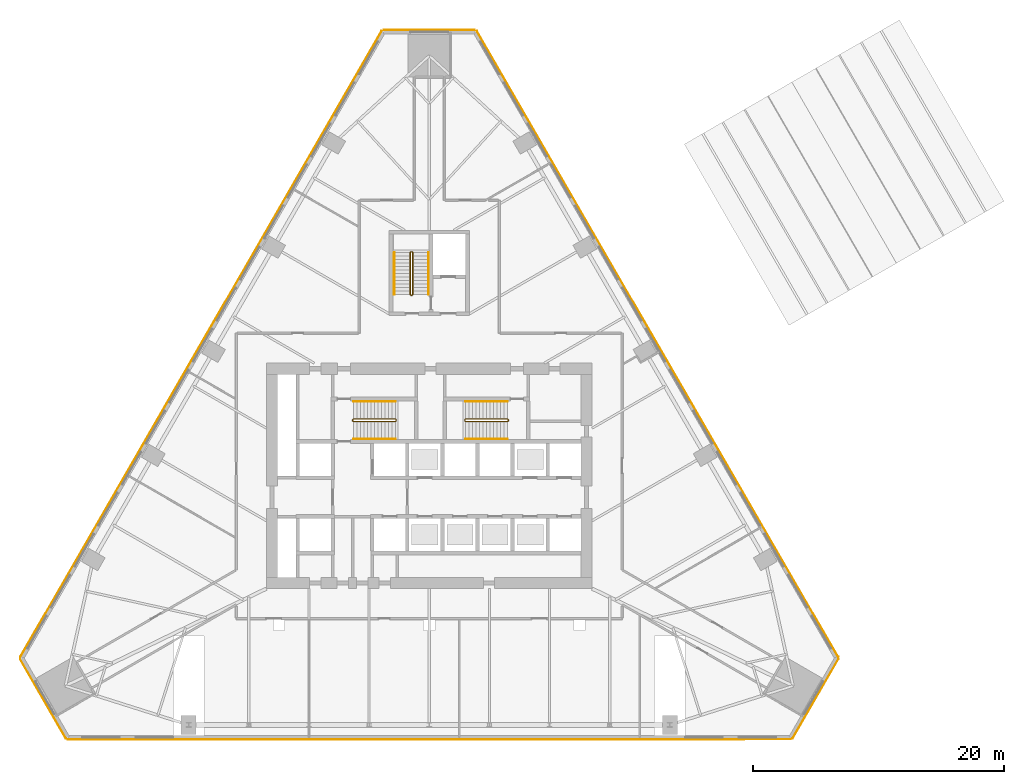
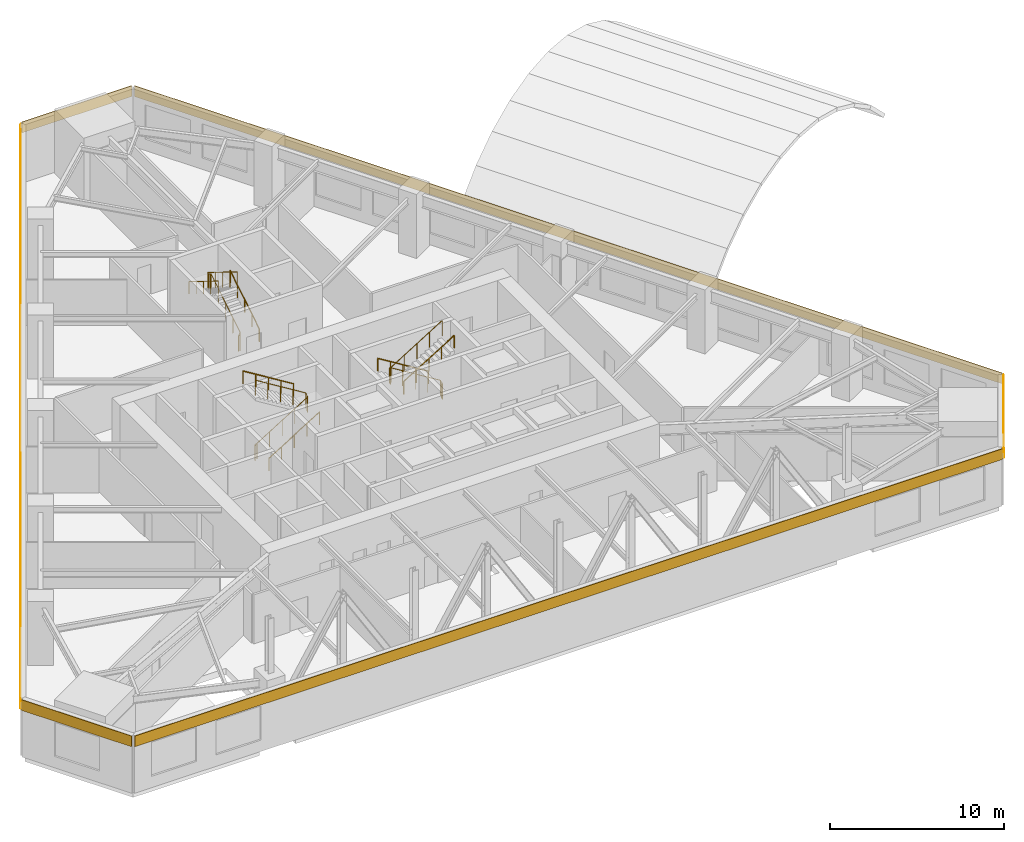
# One storey, part 10 of 11: 9 railings, 6 coverings.
"""IFC4 building model written with IfcOpenShell, lengths in metres."""

from ifc_helpers import new_model, si_unit, direction, frame, origin, origin_2d, place, context, subcontext, project, spatial, polyline, circle, outline, extrude, material, layer, layer_set, type_object, element, save


model = new_model("IFC4")

# Units and contexts
model_context = context("Model", 3, precision=1e-05, world=origin(), true_north=direction((0.0, 1.0)))
body_context = subcontext(model_context, "Body", "Model", "MODEL_VIEW")
ifc_project = project(units=[si_unit("LENGTHUNIT", "METRE"), si_unit("AREAUNIT", "SQUARE_METRE"), si_unit("VOLUMEUNIT", "CUBIC_METRE"), si_unit("PLANEANGLEUNIT", "RADIAN"), si_unit("MASSUNIT", "GRAM", prefix="KILO")], contexts=[model_context])

# Site, building, storey
site_placement = place(None, origin())
site = spatial("IfcSite", under=ifc_project, at=site_placement, CompositionType="ELEMENT")
building_placement = place(site_placement, origin())
building = spatial("IfcBuilding", under=site, at=building_placement, Name="Firuza Gate Tower and Library", CompositionType="ELEMENT")
storey_placement = place(building_placement, frame((0.0, 0.0, 31.0)))
storey = spatial("IfcBuildingStorey", under=building, at=storey_placement, Name="L06", CompositionType="ELEMENT", Elevation=31.0)

# Coverings
ifc_material_1 = material(Name="Glazed ceramic tile, cobalt")
ifc_layer_1 = layer(ifc_material_1, 0.0400390625)
ifc_layer_set_1 = layer_set([ifc_layer_1], Name="Cobalt glazed tile band 40")
covering_type_1 = type_object("IfcCoveringType", Name="Cobalt glazed tile band 40", PredefinedType="CLADDING", material=ifc_layer_set_1)
covering_1_placement = place(storey_placement, frame((104.0166015625, 54.0302734375, 3.300048828125), z_axis=(0.866033626628, -0.499985757347, 0.0), x_axis=(0.499985757347, 0.866033626628, 0.0)))
element("IfcCovering", 1, at=covering_1_placement, inside=storey, type_object=covering_type_1, Name="Glazed tile band", PredefinedType="CLADDING", context=body_context, shape_type="SweptSolid", body=[
    extrude(outline(polyline([(0.0, 0.0), (7.303918991869336, 0.0), (7.303918991869336, 0.75), (0.0, 0.75), (0.0, 0.0)])), origin(), (0.0, 0.0, -1.0), 0.0400390625),
])
covering_2_placement = place(storey_placement, frame((78.65185546875, 110.61376953125, 3.300048828125), z_axis=(0.0, 1.0, 0.0), x_axis=(-1.0, 0.0, 0.0)))
element("IfcCovering", 2, at=covering_2_placement, inside=storey, type_object=covering_type_1, Name="Glazed tile band", PredefinedType="CLADDING", context=body_context, shape_type="SweptSolid", body=[
    extrude(outline(polyline([(0.0, 0.0), (7.3037109375, 0.0), (7.3037109375, 0.75), (0.0, 0.75), (0.0, 0.0)])), origin(), (0.0, 0.0, -1.0), 0.0400390625),
])
covering_3_placement = place(storey_placement, frame((42.33154296875, 60.355712890625, 3.300048828125), z_axis=(-0.866033626628, -0.499985757347, 0.0), x_axis=(0.499985757347, -0.866033626628, 0.0)))
element("IfcCovering", 3, at=covering_3_placement, inside=storey, type_object=covering_type_1, Name="Glazed tile band", PredefinedType="CLADDING", context=body_context, shape_type="SweptSolid", body=[
    extrude(outline(polyline([(0.0, 0.0), (7.303918991869336, 0.0), (7.303918991869336, 0.75), (0.0, 0.75), (0.0, 0.0)])), origin(), (0.0, 0.0, -1.0), 0.0400390625),
])

# Railings
ifc_material_2 = material(Name="Steel S355", Category="steel")
railing_type_1 = type_object("IfcRailingType", Name="Stair guard 1100", PredefinedType="GUARDRAIL", material=ifc_material_2)
railing_1_placement = place(storey_placement, frame((68.889892578125, 79.389892578125, 0.0)))
element("IfcRailing", 4, at=railing_1_placement, inside=storey, type_object=railing_type_1, Name="L06 ST1 stair guard 1", PredefinedType="GUARDRAIL", context=body_context, shape_type="SweptSolid", body=[
    extrude(circle(Radius=0.02392578125, at=origin_2d()), frame((0.0, 0.0, 1.076171875), z_axis=(0.0, 1.0, 0.0), x_axis=(-1.0, 0.0, 0.0)), (0.0, 0.0, 1.0), 0.10009765625),
    extrude(circle(Radius=0.02392578125, at=origin_2d()), frame((0.0, 0.10009765625, 1.076171875), z_axis=(0.213529850563, -0.639547942662, 0.73850080024), x_axis=(0.948528701346, 0.316691178788, 0.0)), (0.0, 0.0, 1.0), 0.234375),
    extrude(circle(Radius=0.02392578125, at=origin_2d()), frame((0.050048828125, -0.0498046875, 1.2490234375), z_axis=(0.850623216509, 0.0, 0.525775754039), x_axis=(0.0, 1.0, 0.0)), (0.0, 0.0, 1.0), 3.9501953125),
    extrude(circle(Radius=0.02392578125, at=origin_2d()), frame((3.41015625, -0.0498046875, 3.326171875), z_axis=(0.708833529934, 0.705375805398, 0.0), x_axis=(-0.705375805398, 0.708833529934, 0.0)), (0.0, 0.0, 1.0), 0.070556640625),
    extrude(circle(Radius=0.02392578125, at=origin_2d()), frame((3.460205078125, 0.0, 3.326171875), z_axis=(0.0, 1.0, 0.0), x_axis=(-1.0, 0.0, 0.0)), (0.0, 0.0, 1.0), 0.10009765625),
    extrude(circle(Radius=0.02392578125, at=origin_2d()), frame((3.460205078125, 0.10009765625, 3.326171875), z_axis=(-0.267629722418, 0.267629722418, 0.925607186314), x_axis=(-0.707106781187, -0.707106781187, 0.0)), (0.0, 0.0, 1.0), 0.18701171875),
    extrude(circle(Radius=0.02392578125, at=origin_2d()), frame((3.41015625, 0.150146484375, 3.4990234375), z_axis=(-0.850623216509, 0.0, 0.525775754039), x_axis=(0.0, -1.0, 0.0)), (0.0, 0.0, 1.0), 3.9501953125),
    extrude(circle(Radius=0.02099609375, at=origin_2d()), origin(), (0.0, 0.0, 1.0), 1.052001953125),
    extrude(circle(Radius=0.02099609375, at=origin_2d()), frame((0.0, 0.10009765625, 0.0)), (0.0, 0.0, 1.0), 1.052001953125),
    extrude(circle(Radius=0.02099609375, at=origin_2d()), frame((0.050048828125, -0.0498046875, 0.173095703125)), (0.0, 0.0, 1.0), 1.052001953125),
    extrude(circle(Radius=0.02099609375, at=origin_2d()), frame((0.89013671875, -0.0498046875, 0.6923828125)), (0.0, 0.0, 1.0), 1.052001953125),
    extrude(circle(Radius=0.02099609375, at=origin_2d()), frame((1.72998046875, -0.0498046875, 1.21142578125)), (0.0, 0.0, 1.0), 1.052001953125),
    extrude(circle(Radius=0.02099609375, at=origin_2d()), frame((2.570068359375, -0.0498046875, 1.730712890625)), (0.0, 0.0, 1.0), 1.052001953125),
    extrude(circle(Radius=0.02099609375, at=origin_2d()), frame((3.41015625, -0.0498046875, 2.25)), (0.0, 0.0, 1.0), 1.052001953125),
    extrude(circle(Radius=0.02099609375, at=origin_2d()), frame((3.460205078125, 0.0, 2.25)), (0.0, 0.0, 1.0), 1.052001953125),
    extrude(circle(Radius=0.02099609375, at=origin_2d()), frame((3.460205078125, 0.10009765625, 2.25)), (0.0, 0.0, 1.0), 1.052001953125),
    extrude(circle(Radius=0.02099609375, at=origin_2d()), frame((3.41015625, 0.150146484375, 2.423095703125)), (0.0, 0.0, 1.0), 1.052001953125),
    extrude(circle(Radius=0.02099609375, at=origin_2d()), frame((2.570068359375, 0.150146484375, 2.9423828125)), (0.0, 0.0, 1.0), 1.052001953125),
    extrude(circle(Radius=0.02099609375, at=origin_2d()), frame((1.72998046875, 0.150146484375, 3.46142578125)), (0.0, 0.0, 1.0), 1.052001953125),
    extrude(circle(Radius=0.02099609375, at=origin_2d()), frame((0.89013671875, 0.150146484375, 3.980712890625)), (0.0, 0.0, 1.0), 1.052001953125),
    extrude(circle(Radius=0.02099609375, at=origin_2d()), frame((0.050048828125, 0.150146484375, 4.5)), (0.0, 0.0, 1.0), 1.052001953125),
])
railing_2_placement = place(storey_placement, frame((81.31005859375, 79.489990234375, 0.0)))
element("IfcRailing", 5, at=railing_2_placement, inside=storey, type_object=railing_type_1, Name="L06 ST2 stair guard 1", PredefinedType="GUARDRAIL", context=body_context, shape_type="SweptSolid", body=[
    extrude(circle(Radius=0.02392578125, at=origin_2d()), frame((0.0, 0.0, 1.076171875), z_axis=(0.0, -1.0, 0.0), x_axis=(1.0, 0.0, 0.0)), (0.0, 0.0, 1.0), 0.10009765625),
    extrude(circle(Radius=0.02392578125, at=origin_2d()), frame((0.0, -0.10009765625, 1.076171875), z_axis=(-0.213387632126, 0.640162896378, 0.738008932572), x_axis=(-0.948683298051, -0.316227766017, 0.0)), (0.0, 0.0, 1.0), 0.234619140625),
    extrude(circle(Radius=0.02392578125, at=origin_2d()), frame((-0.050048828125, 0.050048828125, 1.2490234375), z_axis=(-0.850623216509, 0.0, 0.525775754039), x_axis=(0.0, -1.0, 0.0)), (0.0, 0.0, 1.0), 3.9501953125),
    extrude(circle(Radius=0.02392578125, at=origin_2d()), frame((-3.41015625, 0.050048828125, 3.326171875), z_axis=(-0.705375805398, -0.708833529934, 0.0), x_axis=(0.708833529934, -0.705375805398, 0.0)), (0.0, 0.0, 1.0), 0.070556640625),
    extrude(circle(Radius=0.02392578125, at=origin_2d()), frame((-3.4599609375, 0.0, 3.326171875), z_axis=(0.0, -1.0, 0.0), x_axis=(1.0, 0.0, 0.0)), (0.0, 0.0, 1.0), 0.10009765625),
    extrude(circle(Radius=0.02392578125, at=origin_2d()), frame((-3.4599609375, -0.10009765625, 3.326171875), z_axis=(0.26651005591, -0.26651005591, 0.926253086471), x_axis=(0.707106781187, 0.707106781187, 0.0)), (0.0, 0.0, 1.0), 0.186767578125),
    extrude(circle(Radius=0.02392578125, at=origin_2d()), frame((-3.41015625, -0.14990234375, 3.4990234375), z_axis=(0.850623216509, 0.0, 0.525775754039), x_axis=(0.0, 1.0, 0.0)), (0.0, 0.0, 1.0), 3.9501953125),
    extrude(circle(Radius=0.02099609375, at=origin_2d()), origin(), (0.0, 0.0, 1.0), 1.052001953125),
    extrude(circle(Radius=0.02099609375, at=origin_2d()), frame((0.0, -0.10009765625, 0.0)), (0.0, 0.0, 1.0), 1.052001953125),
    extrude(circle(Radius=0.02099609375, at=origin_2d()), frame((-0.050048828125, 0.050048828125, 0.173095703125)), (0.0, 0.0, 1.0), 1.052001953125),
    extrude(circle(Radius=0.02099609375, at=origin_2d()), frame((-0.89013671875, 0.050048828125, 0.6923828125)), (0.0, 0.0, 1.0), 1.052001953125),
    extrude(circle(Radius=0.02099609375, at=origin_2d()), frame((-1.72998046875, 0.050048828125, 1.21142578125)), (0.0, 0.0, 1.0), 1.052001953125),
    extrude(circle(Radius=0.02099609375, at=origin_2d()), frame((-2.570068359375, 0.050048828125, 1.730712890625)), (0.0, 0.0, 1.0), 1.052001953125),
    extrude(circle(Radius=0.02099609375, at=origin_2d()), frame((-3.41015625, 0.050048828125, 2.25)), (0.0, 0.0, 1.0), 1.052001953125),
    extrude(circle(Radius=0.02099609375, at=origin_2d()), frame((-3.4599609375, 0.0, 2.25)), (0.0, 0.0, 1.0), 1.052001953125),
    extrude(circle(Radius=0.02099609375, at=origin_2d()), frame((-3.4599609375, -0.10009765625, 2.25)), (0.0, 0.0, 1.0), 1.052001953125),
    extrude(circle(Radius=0.02099609375, at=origin_2d()), frame((-3.41015625, -0.14990234375, 2.423095703125)), (0.0, 0.0, 1.0), 1.052001953125),
    extrude(circle(Radius=0.02099609375, at=origin_2d()), frame((-2.570068359375, -0.14990234375, 2.9423828125)), (0.0, 0.0, 1.0), 1.052001953125),
    extrude(circle(Radius=0.02099609375, at=origin_2d()), frame((-1.72998046875, -0.14990234375, 3.46142578125)), (0.0, 0.0, 1.0), 1.052001953125),
    extrude(circle(Radius=0.02099609375, at=origin_2d()), frame((-0.89013671875, -0.14990234375, 3.980712890625)), (0.0, 0.0, 1.0), 1.052001953125),
    extrude(circle(Radius=0.02099609375, at=origin_2d()), frame((-0.050048828125, -0.14990234375, 4.5)), (0.0, 0.0, 1.0), 1.052001953125),
])
railing_3_placement = place(storey_placement, frame((73.6298828125, 89.419921875, 0.0)))
element("IfcRailing", 6, at=railing_3_placement, inside=storey, type_object=railing_type_1, Name="L06 ST3 stair guard 1", PredefinedType="GUARDRAIL", context=body_context, shape_type="SweptSolid", body=[
    extrude(circle(Radius=0.02392578125, at=origin_2d()), frame((0.0, 0.0, 1.076171875), z_axis=(-1.0, 0.0, 0.0), x_axis=(0.0, -1.0, 0.0)), (0.0, 0.0, 1.0), 0.099853515625),
    extrude(circle(Radius=0.02392578125, at=origin_2d()), frame((-0.099853515625, 0.0, 1.076171875), z_axis=(0.639547942662, 0.213529850563, 0.73850080024), x_axis=(-0.316691178788, 0.948528701346, 0.0)), (0.0, 0.0, 1.0), 0.234375),
    extrude(circle(Radius=0.02392578125, at=origin_2d()), frame((0.050048828125, 0.050048828125, 1.2490234375), z_axis=(0.0, 0.850623216509, 0.525775754039), x_axis=(-1.0, 0.0, 0.0)), (0.0, 0.0, 1.0), 3.9501953125),
    extrude(circle(Radius=0.02392578125, at=origin_2d()), frame((0.050048828125, 3.41015625, 3.326171875), z_axis=(-0.708833529934, 0.705375805398, 0.0), x_axis=(-0.705375805398, -0.708833529934, 0.0)), (0.0, 0.0, 1.0), 0.070556640625),
    extrude(circle(Radius=0.02392578125, at=origin_2d()), frame((0.0, 3.4599609375, 3.326171875), z_axis=(-1.0, 0.0, 0.0), x_axis=(0.0, -1.0, 0.0)), (0.0, 0.0, 1.0), 0.099853515625),
    extrude(circle(Radius=0.02392578125, at=origin_2d()), frame((-0.099853515625, 3.4599609375, 3.326171875), z_axis=(-0.267723051232, -0.266417085129, 0.925929967433), x_axis=(0.705375805398, -0.708833529934, 0.0)), (0.0, 0.0, 1.0), 0.18701171875),
    extrude(circle(Radius=0.02392578125, at=origin_2d()), frame((-0.14990234375, 3.41015625, 3.4990234375), z_axis=(0.0, -0.850623216509, 0.525775754039), x_axis=(1.0, 0.0, 0.0)), (0.0, 0.0, 1.0), 3.9501953125),
    extrude(circle(Radius=0.02099609375, at=origin_2d()), origin(), (0.0, 0.0, 1.0), 1.052001953125),
    extrude(circle(Radius=0.02099609375, at=origin_2d()), frame((-0.099853515625, 0.0, 0.0)), (0.0, 0.0, 1.0), 1.052001953125),
    extrude(circle(Radius=0.02099609375, at=origin_2d()), frame((0.050048828125, 0.050048828125, 0.173095703125)), (0.0, 0.0, 1.0), 1.052001953125),
    extrude(circle(Radius=0.02099609375, at=origin_2d()), frame((0.050048828125, 0.89013671875, 0.6923828125)), (0.0, 0.0, 1.0), 1.052001953125),
    extrude(circle(Radius=0.02099609375, at=origin_2d()), frame((0.050048828125, 1.72998046875, 1.21142578125)), (0.0, 0.0, 1.0), 1.052001953125),
    extrude(circle(Radius=0.02099609375, at=origin_2d()), frame((0.050048828125, 2.570068359375, 1.730712890625)), (0.0, 0.0, 1.0), 1.052001953125),
    extrude(circle(Radius=0.02099609375, at=origin_2d()), frame((0.050048828125, 3.41015625, 2.25)), (0.0, 0.0, 1.0), 1.052001953125),
    extrude(circle(Radius=0.02099609375, at=origin_2d()), frame((0.0, 3.4599609375, 2.25)), (0.0, 0.0, 1.0), 1.052001953125),
    extrude(circle(Radius=0.02099609375, at=origin_2d()), frame((-0.099853515625, 3.4599609375, 2.25)), (0.0, 0.0, 1.0), 1.052001953125),
    extrude(circle(Radius=0.02099609375, at=origin_2d()), frame((-0.14990234375, 3.41015625, 2.423095703125)), (0.0, 0.0, 1.0), 1.052001953125),
    extrude(circle(Radius=0.02099609375, at=origin_2d()), frame((-0.14990234375, 2.570068359375, 2.9423828125)), (0.0, 0.0, 1.0), 1.052001953125),
    extrude(circle(Radius=0.02099609375, at=origin_2d()), frame((-0.14990234375, 1.72998046875, 3.46142578125)), (0.0, 0.0, 1.0), 1.052001953125),
    extrude(circle(Radius=0.02099609375, at=origin_2d()), frame((-0.14990234375, 0.89013671875, 3.980712890625)), (0.0, 0.0, 1.0), 1.052001953125),
    extrude(circle(Radius=0.02099609375, at=origin_2d()), frame((-0.14990234375, 0.050048828125, 4.5)), (0.0, 0.0, 1.0), 1.052001953125),
])
ifc_material_3 = material(Name="Steel S355", Category="steel")
railing_type_2 = type_object("IfcRailingType", Name="Stair handrail 900", PredefinedType="HANDRAIL", material=ifc_material_3)
railing_4_placement = place(storey_placement, frame((68.93994140625, 77.949951171875, 0.173095703125)))
element("IfcRailing", 7, at=railing_4_placement, inside=storey, type_object=railing_type_2, Name="L06 ST1 stair handrail 1", PredefinedType="HANDRAIL", context=body_context, shape_type="SweptSolid", body=[
    extrude(circle(Radius=0.02392578125, at=origin_2d()), frame((0.0, 0.0, 0.8759765625), z_axis=(0.850623216509, 0.0, 0.525775754039), x_axis=(0.0, 1.0, 0.0)), (0.0, 0.0, 1.0), 3.9501953125),
    extrude(circle(Radius=0.02099609375, at=origin_2d()), origin(), (0.0, 0.0, 1.0), 0.851806640625),
    extrude(circle(Radius=0.02099609375, at=origin_2d()), frame((0.840087890625, 0.0, 0.519287109375)), (0.0, 0.0, 1.0), 0.851806640625),
    extrude(circle(Radius=0.02099609375, at=origin_2d()), frame((1.68017578125, 0.0, 1.03857421875)), (0.0, 0.0, 1.0), 0.851806640625),
    extrude(circle(Radius=0.02099609375, at=origin_2d()), frame((2.52001953125, 0.0, 1.5576171875)), (0.0, 0.0, 1.0), 0.851806640625),
    extrude(circle(Radius=0.02099609375, at=origin_2d()), frame((3.360107421875, 0.0, 2.076904296875)), (0.0, 0.0, 1.0), 0.851806640625),
])
for number, where, name in (
    (8, (72.300048828125, 80.929931640625, 2.423095703125), "L06 ST1 stair handrail 2"),
    (9, (81.260009765625, 80.929931640625, 0.173095703125), "L06 ST2 stair handrail 1"),
):
    element("IfcRailing", number, at=place(storey_placement, frame(where)), inside=storey, type_object=railing_type_2, Name=name, PredefinedType="HANDRAIL", context=body_context, shape_type="SweptSolid", body=[
        extrude(circle(Radius=0.02392578125, at=origin_2d()), frame((0.0, 0.0, 0.8759765625), z_axis=(-0.850623216509, 0.0, 0.525775754039), x_axis=(0.0, -1.0, 0.0)), (0.0, 0.0, 1.0), 3.9501953125),
        extrude(circle(Radius=0.02099609375, at=origin_2d()), origin(), (0.0, 0.0, 1.0), 0.851806640625),
        extrude(circle(Radius=0.02099609375, at=origin_2d()), frame((-0.840087890625, 0.0, 0.519287109375)), (0.0, 0.0, 1.0), 0.851806640625),
        extrude(circle(Radius=0.02099609375, at=origin_2d()), frame((-1.68017578125, 0.0, 1.03857421875)), (0.0, 0.0, 1.0), 0.851806640625),
        extrude(circle(Radius=0.02099609375, at=origin_2d()), frame((-2.52001953125, 0.0, 1.5576171875)), (0.0, 0.0, 1.0), 0.851806640625),
        extrude(circle(Radius=0.02099609375, at=origin_2d()), frame((-3.360107421875, 0.0, 2.076904296875)), (0.0, 0.0, 1.0), 0.851806640625),
    ])
railing_5_placement = place(storey_placement, frame((77.89990234375, 77.949951171875, 2.423095703125)))
element("IfcRailing", 10, at=railing_5_placement, inside=storey, type_object=railing_type_2, Name="L06 ST2 stair handrail 2", PredefinedType="HANDRAIL", context=body_context, shape_type="SweptSolid", body=[
    extrude(circle(Radius=0.02392578125, at=origin_2d()), frame((0.0, 0.0, 0.8759765625), z_axis=(0.850623216509, 0.0, 0.525775754039), x_axis=(0.0, 1.0, 0.0)), (0.0, 0.0, 1.0), 3.9501953125),
    extrude(circle(Radius=0.02099609375, at=origin_2d()), origin(), (0.0, 0.0, 1.0), 0.851806640625),
    extrude(circle(Radius=0.02099609375, at=origin_2d()), frame((0.840087890625, 0.0, 0.519287109375)), (0.0, 0.0, 1.0), 0.851806640625),
    extrude(circle(Radius=0.02099609375, at=origin_2d()), frame((1.68017578125, 0.0, 1.03857421875)), (0.0, 0.0, 1.0), 0.851806640625),
    extrude(circle(Radius=0.02099609375, at=origin_2d()), frame((2.52001953125, 0.0, 1.5576171875)), (0.0, 0.0, 1.0), 0.851806640625),
    extrude(circle(Radius=0.02099609375, at=origin_2d()), frame((3.360107421875, 0.0, 2.076904296875)), (0.0, 0.0, 1.0), 0.851806640625),
])
railing_6_placement = place(storey_placement, frame((74.949951171875, 89.469970703125, 0.173095703125)))
element("IfcRailing", 11, at=railing_6_placement, inside=storey, type_object=railing_type_2, Name="L06 ST3 stair handrail 1", PredefinedType="HANDRAIL", context=body_context, shape_type="SweptSolid", body=[
    extrude(circle(Radius=0.02392578125, at=origin_2d()), frame((0.0, 0.0, 0.8759765625), z_axis=(0.0, 0.850623216509, 0.525775754039), x_axis=(-1.0, 0.0, 0.0)), (0.0, 0.0, 1.0), 3.9501953125),
    extrude(circle(Radius=0.02099609375, at=origin_2d()), origin(), (0.0, 0.0, 1.0), 0.851806640625),
    extrude(circle(Radius=0.02099609375, at=origin_2d()), frame((0.0, 0.840087890625, 0.519287109375)), (0.0, 0.0, 1.0), 0.851806640625),
    extrude(circle(Radius=0.02099609375, at=origin_2d()), frame((0.0, 1.68017578125, 1.03857421875)), (0.0, 0.0, 1.0), 0.851806640625),
    extrude(circle(Radius=0.02099609375, at=origin_2d()), frame((0.0, 2.52001953125, 1.5576171875)), (0.0, 0.0, 1.0), 0.851806640625),
    extrude(circle(Radius=0.02099609375, at=origin_2d()), frame((0.0, 3.360107421875, 2.076904296875)), (0.0, 0.0, 1.0), 0.851806640625),
])
railing_7_placement = place(storey_placement, frame((72.2099609375, 92.830078125, 2.423095703125)))
element("IfcRailing", 12, at=railing_7_placement, inside=storey, type_object=railing_type_2, Name="L06 ST3 stair handrail 2", PredefinedType="HANDRAIL", context=body_context, shape_type="SweptSolid", body=[
    extrude(circle(Radius=0.02392578125, at=origin_2d()), frame((0.0, 0.0, 0.8759765625), z_axis=(0.0, -0.850623216509, 0.525775754039), x_axis=(1.0, 0.0, 0.0)), (0.0, 0.0, 1.0), 3.9501953125),
    extrude(circle(Radius=0.02099609375, at=origin_2d()), origin(), (0.0, 0.0, 1.0), 0.851806640625),
    extrude(circle(Radius=0.02099609375, at=origin_2d()), frame((0.0, -0.840087890625, 0.519287109375)), (0.0, 0.0, 1.0), 0.851806640625),
    extrude(circle(Radius=0.02099609375, at=origin_2d()), frame((0.0, -1.68017578125, 1.03857421875)), (0.0, 0.0, 1.0), 0.851806640625),
    extrude(circle(Radius=0.02099609375, at=origin_2d()), frame((0.0, -2.52001953125, 1.5576171875)), (0.0, 0.0, 1.0), 0.851806640625),
    extrude(circle(Radius=0.02099609375, at=origin_2d()), frame((0.0, -3.360107421875, 2.076904296875)), (0.0, 0.0, 1.0), 0.851806640625),
])

# Coverings
ifc_material_4 = material(Name="Glazed ceramic tile, turquoise")
ifc_layer_2 = layer(ifc_material_4, 0.0400390625)
ifc_layer_set_2 = layer_set([ifc_layer_2], Name="Turquoise glazed tile band 40")
covering_type_2 = type_object("IfcCoveringType", Name="Turquoise glazed tile band 40", PredefinedType="CLADDING", material=ifc_layer_set_2)
covering_4_placement = place(storey_placement, frame((46.14794921875, 53.935302734375, 3.300048828125), z_axis=(0.0, -1.0, 0.0), x_axis=(1.0, 0.0, 0.0)))
element("IfcCovering", 13, at=covering_4_placement, inside=storey, type_object=covering_type_2, Name="Glazed tile band", PredefinedType="CLADDING", context=body_context, shape_type="SweptSolid", body=[
    extrude(outline(polyline([(0.0, 0.0), (57.7041015625, 0.0), (57.7041015625, 0.75), (0.0, 0.75), (0.0, 0.0)])), origin(), (0.0, 0.0, -1.0), 0.0400390625),
])
for number, where, z_axis, x_axis, name in (
    (14, (107.66845703125, 60.545654296875, 3.300048828125), (0.86602508611, 0.500000550228, 0.0), (-0.500000550228, 0.86602508611, 0.0), "Glazed tile band"),
    (15, (71.18359375, 110.518798828125, 3.300048828125), (-0.86602508611, 0.500000550228, 0.0), (-0.500000550228, -0.86602508611, 0.0), "Glazed tile band"),
):
    element("IfcCovering", number, at=place(storey_placement, frame(where, z_axis=z_axis, x_axis=x_axis)), inside=storey, type_object=covering_type_2, Name=name, PredefinedType="CLADDING", context=body_context, shape_type="SweptSolid", body=[
        extrude(outline(polyline([(0.0, 0.0), (57.70403806169055, 0.0), (57.70403806169055, 0.75), (0.0, 0.75), (0.0, 0.0)])), origin(), (0.0, 0.0, -1.0), 0.0400390625),
    ])

save(model, "model.ifc")
